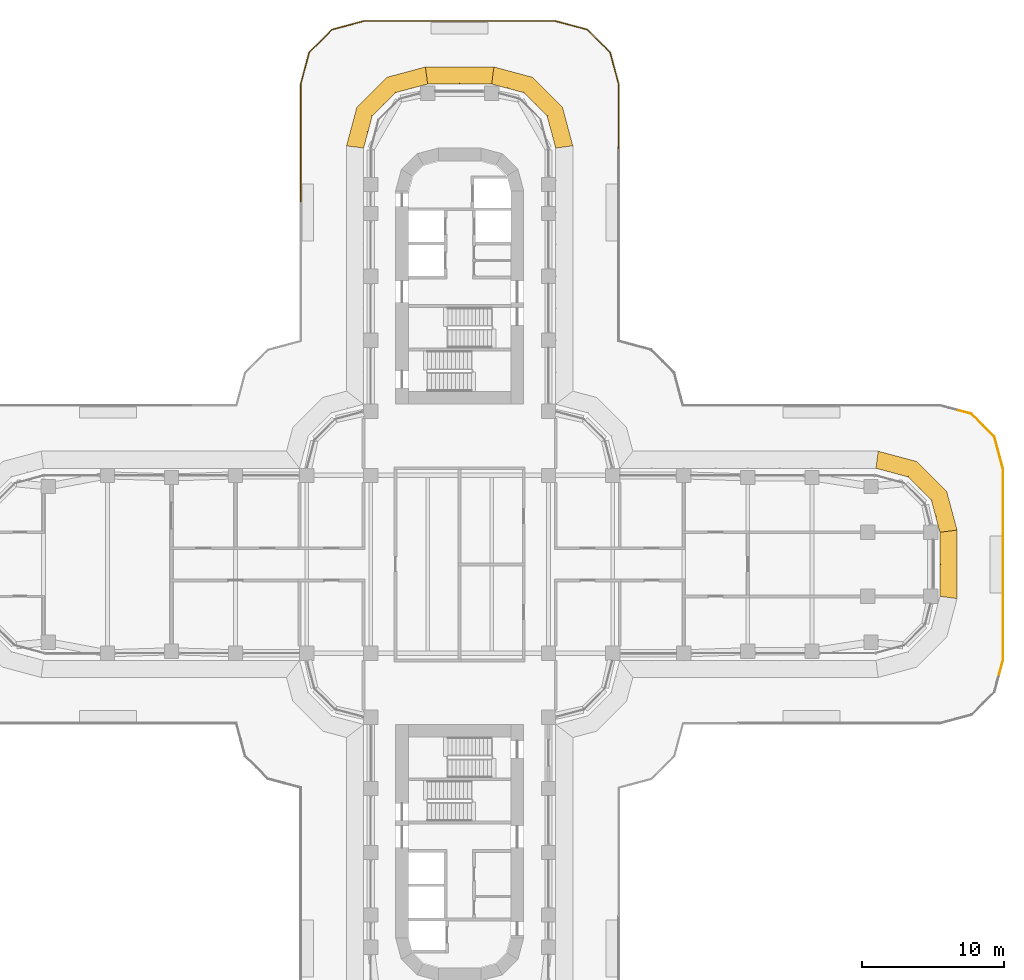
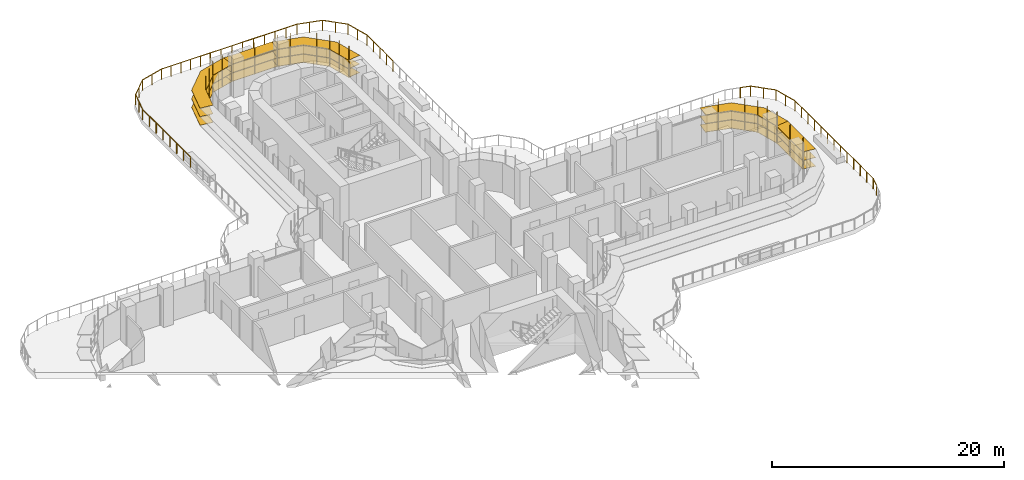
# One storey, part 25 of 26: 5 shading devices, 3 railings.
"""IFC4 building model written with IfcOpenShell, lengths in metres."""

from ifc_helpers import new_model, si_unit, direction, frame, origin, origin_2d, place, context, subcontext, project, spatial, polyline, circle, outline, extrude, faceted_brep, source, transform, mapped, material, type_object, element, save


model = new_model("IFC4")

# Units and contexts
model_context = context("Model", 3, precision=1e-05, world=origin(), true_north=direction((0.0, 1.0)))
body_context = subcontext(model_context, "Body", "Model", "MODEL_VIEW")
ifc_project = project(units=[si_unit("LENGTHUNIT", "METRE"), si_unit("AREAUNIT", "SQUARE_METRE"), si_unit("VOLUMEUNIT", "CUBIC_METRE"), si_unit("PLANEANGLEUNIT", "RADIAN"), si_unit("MASSUNIT", "GRAM", prefix="KILO")], contexts=[model_context])

# Site, building, storey
site_placement = place(None, origin())
site = spatial("IfcSite", under=ifc_project, at=site_placement, CompositionType="ELEMENT")
building_placement = place(site_placement, origin())
building = spatial("IfcBuilding", under=site, at=building_placement, Name="Zarbagh Exchange Tower", CompositionType="ELEMENT")
storey_placement = place(building_placement, frame((0.0, 0.0, 27.0)))
storey = spatial("IfcBuildingStorey", under=building, at=storey_placement, Name="L05", CompositionType="ELEMENT", Elevation=27.0)

# Railings
ifc_material_1 = material(Name="Stainless steel and laminated glass", Category="steel")
railing_type = type_object("IfcRailingType", Name="Terrace guard, glass balustrade 1.1 m", PredefinedType="GUARDRAIL", material=ifc_material_1)
railing_1_placement = place(storey_placement, frame((-11.169921875, 25.482421875, 0.0)))
element("IfcRailing", 1, at=railing_1_placement, inside=storey, type_object=railing_type, Name="TG01 terrace guard", PredefinedType="GUARDRAIL", context=body_context, shape_type="SweptSolid", body=[
    extrude(circle(Radius=0.02490234375, at=origin_2d()), frame((0.0, 0.0, 1.0751953125), z_axis=(0.0, 1.0, 0.0), x_axis=(-1.0, 0.0, 0.0)), (0.0, 0.0, 1.0), 8.257080078125),
    extrude(circle(Radius=0.02490234375, at=origin_2d()), frame((0.0, 8.257080078125, 1.0751953125), z_axis=(0.258780353152, 0.965936192935, 0.0), x_axis=(-0.965936192935, 0.258780353152, 0.0)), (0.0, 0.0, 1.0), 2.29736328125),
    extrude(circle(Radius=0.02490234375, at=origin_2d()), frame((0.594482421875, 10.47607421875, 1.0751953125), z_axis=(0.707106781187, 0.707106781187, 0.0), x_axis=(-0.707106781187, 0.707106781187, 0.0)), (0.0, 0.0, 1.0), 2.28662109375),
    extrude(circle(Radius=0.02490234375, at=origin_2d()), frame((2.21142578125, 12.093017578125, 1.0751953125), z_axis=(0.965936192935, 0.258780353152, 0.0), x_axis=(-0.258780353152, 0.965936192935, 0.0)), (0.0, 0.0, 1.0), 2.29736328125),
    extrude(circle(Radius=0.02490234375, at=origin_2d()), frame((4.430419921875, 12.6875, 1.0751953125), z_axis=(1.0, 0.0, 0.0), x_axis=(0.0, 1.0, 0.0)), (0.0, 0.0, 1.0), 4.861572265625),
    extrude(circle(Radius=0.02490234375, at=origin_2d()), origin(), (0.0, 0.0, 1.0), 1.050048828125),
    extrude(circle(Radius=0.02490234375, at=origin_2d()), frame((0.0, 1.1796875, 0.0)), (0.0, 0.0, 1.0), 1.050048828125),
    extrude(circle(Radius=0.02490234375, at=origin_2d()), frame((0.0, 2.359130859375, 0.0)), (0.0, 0.0, 1.0), 1.050048828125),
    extrude(circle(Radius=0.02490234375, at=origin_2d()), frame((0.0, 3.538818359375, 0.0)), (0.0, 0.0, 1.0), 1.050048828125),
    extrude(circle(Radius=0.02490234375, at=origin_2d()), frame((0.0, 4.71826171875, 0.0)), (0.0, 0.0, 1.0), 1.050048828125),
    extrude(circle(Radius=0.02490234375, at=origin_2d()), frame((0.0, 5.89794921875, 0.0)), (0.0, 0.0, 1.0), 1.050048828125),
    extrude(circle(Radius=0.02490234375, at=origin_2d()), frame((0.0, 7.077392578125, 0.0)), (0.0, 0.0, 1.0), 1.050048828125),
    extrude(circle(Radius=0.02490234375, at=origin_2d()), frame((0.0, 8.257080078125, 0.0)), (0.0, 0.0, 1.0), 1.050048828125),
    extrude(circle(Radius=0.02490234375, at=origin_2d()), frame((0.29736328125, 9.36669921875, 0.0)), (0.0, 0.0, 1.0), 1.050048828125),
    extrude(circle(Radius=0.02490234375, at=origin_2d()), frame((0.594482421875, 10.47607421875, 0.0)), (0.0, 0.0, 1.0), 1.050048828125),
    extrude(circle(Radius=0.02490234375, at=origin_2d()), frame((1.40283203125, 11.28466796875, 0.0)), (0.0, 0.0, 1.0), 1.050048828125),
    extrude(circle(Radius=0.02490234375, at=origin_2d()), frame((2.21142578125, 12.093017578125, 0.0)), (0.0, 0.0, 1.0), 1.050048828125),
    extrude(circle(Radius=0.02490234375, at=origin_2d()), frame((3.32080078125, 12.39013671875, 0.0)), (0.0, 0.0, 1.0), 1.050048828125),
    extrude(circle(Radius=0.02490234375, at=origin_2d()), frame((4.430419921875, 12.6875, 0.0)), (0.0, 0.0, 1.0), 1.050048828125),
    extrude(circle(Radius=0.02490234375, at=origin_2d()), frame((5.40283203125, 12.6875, 0.0)), (0.0, 0.0, 1.0), 1.050048828125),
    extrude(circle(Radius=0.02490234375, at=origin_2d()), frame((6.375, 12.6875, 0.0)), (0.0, 0.0, 1.0), 1.050048828125),
    extrude(circle(Radius=0.02490234375, at=origin_2d()), frame((7.347412109375, 12.6875, 0.0)), (0.0, 0.0, 1.0), 1.050048828125),
    extrude(circle(Radius=0.02490234375, at=origin_2d()), frame((8.319580078125, 12.6875, 0.0)), (0.0, 0.0, 1.0), 1.050048828125),
    extrude(circle(Radius=0.02490234375, at=origin_2d()), frame((9.2919921875, 12.6875, 0.0)), (0.0, 0.0, 1.0), 1.050048828125),
])
railing_2_placement = place(storey_placement, frame((-1.8779296875, 38.169921875, 0.0)))
element("IfcRailing", 2, at=railing_2_placement, inside=storey, type_object=railing_type, Name="TG01 terrace guard", PredefinedType="GUARDRAIL", context=body_context, shape_type="SweptSolid", body=[
    extrude(circle(Radius=0.02490234375, at=origin_2d()), frame((0.0, 0.0, 1.0751953125), z_axis=(1.0, 0.0, 0.0), x_axis=(0.0, 1.0, 0.0)), (0.0, 0.0, 1.0), 8.617431640625),
    extrude(circle(Radius=0.02490234375, at=origin_2d()), frame((8.617431640625, 0.0, 1.0751953125), z_axis=(0.965936192935, -0.258780353152, 0.0), x_axis=(0.258780353152, 0.965936192935, 0.0)), (0.0, 0.0, 1.0), 2.29736328125),
    extrude(circle(Radius=0.02490234375, at=origin_2d()), frame((10.83642578125, -0.594482421875, 1.0751953125), z_axis=(0.707106781187, -0.707106781187, 0.0), x_axis=(0.707106781187, 0.707106781187, 0.0)), (0.0, 0.0, 1.0), 2.28662109375),
    extrude(circle(Radius=0.02490234375, at=origin_2d()), frame((12.453369140625, -2.21142578125, 1.0751953125), z_axis=(0.258780353152, -0.965936192935, 0.0), x_axis=(0.965936192935, 0.258780353152, 0.0)), (0.0, 0.0, 1.0), 2.29736328125),
    extrude(circle(Radius=0.02490234375, at=origin_2d()), frame((13.0478515625, -4.430419921875, 1.0751953125), z_axis=(0.0, -1.0, 0.0), x_axis=(1.0, 0.0, 0.0)), (0.0, 0.0, 1.0), 4.50146484375),
    extrude(circle(Radius=0.02490234375, at=origin_2d()), origin(), (0.0, 0.0, 1.0), 1.050048828125),
    extrude(circle(Radius=0.02490234375, at=origin_2d()), frame((1.0771484375, 0.0, 0.0)), (0.0, 0.0, 1.0), 1.050048828125),
    extrude(circle(Radius=0.02490234375, at=origin_2d()), frame((2.154296875, 0.0, 0.0)), (0.0, 0.0, 1.0), 1.050048828125),
    extrude(circle(Radius=0.02490234375, at=origin_2d()), frame((3.2314453125, 0.0, 0.0)), (0.0, 0.0, 1.0), 1.050048828125),
    extrude(circle(Radius=0.02490234375, at=origin_2d()), frame((4.30859375, 0.0, 0.0)), (0.0, 0.0, 1.0), 1.050048828125),
    extrude(circle(Radius=0.02490234375, at=origin_2d()), frame((5.385986328125, 0.0, 0.0)), (0.0, 0.0, 1.0), 1.050048828125),
    extrude(circle(Radius=0.02490234375, at=origin_2d()), frame((6.463134765625, 0.0, 0.0)), (0.0, 0.0, 1.0), 1.050048828125),
    extrude(circle(Radius=0.02490234375, at=origin_2d()), frame((7.540283203125, 0.0, 0.0)), (0.0, 0.0, 1.0), 1.050048828125),
    extrude(circle(Radius=0.02490234375, at=origin_2d()), frame((8.617431640625, 0.0, 0.0)), (0.0, 0.0, 1.0), 1.050048828125),
    extrude(circle(Radius=0.02490234375, at=origin_2d()), frame((9.72705078125, -0.29736328125, 0.0)), (0.0, 0.0, 1.0), 1.050048828125),
    extrude(circle(Radius=0.02490234375, at=origin_2d()), frame((10.83642578125, -0.594482421875, 0.0)), (0.0, 0.0, 1.0), 1.050048828125),
    extrude(circle(Radius=0.02490234375, at=origin_2d()), frame((11.64501953125, -1.40283203125, 0.0)), (0.0, 0.0, 1.0), 1.050048828125),
    extrude(circle(Radius=0.02490234375, at=origin_2d()), frame((12.453369140625, -2.21142578125, 0.0)), (0.0, 0.0, 1.0), 1.050048828125),
    extrude(circle(Radius=0.02490234375, at=origin_2d()), frame((12.75048828125, -3.32080078125, 0.0)), (0.0, 0.0, 1.0), 1.050048828125),
    extrude(circle(Radius=0.02490234375, at=origin_2d()), frame((13.0478515625, -4.430419921875, 0.0)), (0.0, 0.0, 1.0), 1.050048828125),
    extrude(circle(Radius=0.02490234375, at=origin_2d()), frame((13.0478515625, -5.5556640625, 0.0)), (0.0, 0.0, 1.0), 1.050048828125),
    extrude(circle(Radius=0.02490234375, at=origin_2d()), frame((13.0478515625, -6.68115234375, 0.0)), (0.0, 0.0, 1.0), 1.050048828125),
    extrude(circle(Radius=0.02490234375, at=origin_2d()), frame((13.0478515625, -7.806640625, 0.0)), (0.0, 0.0, 1.0), 1.050048828125),
    extrude(circle(Radius=0.02490234375, at=origin_2d()), frame((13.0478515625, -8.931884765625, 0.0)), (0.0, 0.0, 1.0), 1.050048828125),
])
railing_3_placement = place(storey_placement, frame((35.067138671875, 10.814208984375, 0.0)))
element("IfcRailing", 3, at=railing_3_placement, inside=storey, type_object=railing_type, Name="TG01 terrace guard", PredefinedType="GUARDRAIL", context=body_context, shape_type="SweptSolid", body=[
    extrude(circle(Radius=0.02490234375, at=origin_2d()), frame((0.0, 0.0, 1.0751953125), z_axis=(0.965944509121, -0.258749309756, 0.0), x_axis=(0.258749309756, 0.965944509121, 0.0)), (0.0, 0.0, 1.0), 0.9228515625),
    extrude(circle(Radius=0.02490234375, at=origin_2d()), frame((0.891357421875, -0.23876953125, 1.0751953125), z_axis=(0.707106781187, -0.707106781187, 0.0), x_axis=(0.707106781187, 0.707106781187, 0.0)), (0.0, 0.0, 1.0), 2.28662109375),
    extrude(circle(Radius=0.02490234375, at=origin_2d()), frame((2.50830078125, -1.855712890625, 1.0751953125), z_axis=(0.258780353152, -0.965936192935, 0.0), x_axis=(0.965936192935, 0.258780353152, 0.0)), (0.0, 0.0, 1.0), 2.29736328125),
    extrude(circle(Radius=0.02490234375, at=origin_2d()), frame((3.102783203125, -4.07470703125, 1.0751953125), z_axis=(0.0, -1.0, 0.0), x_axis=(1.0, 0.0, 0.0)), (0.0, 0.0, 1.0), 13.47900390625),
    extrude(circle(Radius=0.02490234375, at=origin_2d()), frame((3.102783203125, -17.5537109375, 1.0751953125), z_axis=(-0.258756137816, -0.96594268005, 0.0), x_axis=(0.96594268005, -0.258756137816, 0.0)), (0.0, 0.0, 1.0), 1.01416015625),
    extrude(circle(Radius=0.02490234375, at=origin_2d()), origin(), (0.0, 0.0, 1.0), 1.050048828125),
    extrude(circle(Radius=0.02490234375, at=origin_2d()), frame((0.891357421875, -0.23876953125, 0.0)), (0.0, 0.0, 1.0), 1.050048828125),
    extrude(circle(Radius=0.02490234375, at=origin_2d()), frame((1.69970703125, -1.04736328125, 0.0)), (0.0, 0.0, 1.0), 1.050048828125),
    extrude(circle(Radius=0.02490234375, at=origin_2d()), frame((2.50830078125, -1.855712890625, 0.0)), (0.0, 0.0, 1.0), 1.050048828125),
    extrude(circle(Radius=0.02490234375, at=origin_2d()), frame((2.8056640625, -2.96533203125, 0.0)), (0.0, 0.0, 1.0), 1.050048828125),
    extrude(circle(Radius=0.02490234375, at=origin_2d()), frame((3.102783203125, -4.07470703125, 0.0)), (0.0, 0.0, 1.0), 1.050048828125),
    extrude(circle(Radius=0.02490234375, at=origin_2d()), frame((3.102783203125, -5.197998046875, 0.0)), (0.0, 0.0, 1.0), 1.050048828125),
    extrude(circle(Radius=0.02490234375, at=origin_2d()), frame((3.102783203125, -6.3212890625, 0.0)), (0.0, 0.0, 1.0), 1.050048828125),
    extrude(circle(Radius=0.02490234375, at=origin_2d()), frame((3.102783203125, -7.4443359375, 0.0)), (0.0, 0.0, 1.0), 1.050048828125),
    extrude(circle(Radius=0.02490234375, at=origin_2d()), frame((3.102783203125, -8.567626953125, 0.0)), (0.0, 0.0, 1.0), 1.050048828125),
    extrude(circle(Radius=0.02490234375, at=origin_2d()), frame((3.102783203125, -9.69091796875, 0.0)), (0.0, 0.0, 1.0), 1.050048828125),
    extrude(circle(Radius=0.02490234375, at=origin_2d()), frame((3.102783203125, -10.814208984375, 0.0)), (0.0, 0.0, 1.0), 1.050048828125),
    extrude(circle(Radius=0.02490234375, at=origin_2d()), frame((3.102783203125, -11.9375, 0.0)), (0.0, 0.0, 1.0), 1.050048828125),
    extrude(circle(Radius=0.02490234375, at=origin_2d()), frame((3.102783203125, -13.060791015625, 0.0)), (0.0, 0.0, 1.0), 1.050048828125),
    extrude(circle(Radius=0.02490234375, at=origin_2d()), frame((3.102783203125, -14.18408203125, 0.0)), (0.0, 0.0, 1.0), 1.050048828125),
    extrude(circle(Radius=0.02490234375, at=origin_2d()), frame((3.102783203125, -15.30712890625, 0.0)), (0.0, 0.0, 1.0), 1.050048828125),
    extrude(circle(Radius=0.02490234375, at=origin_2d()), frame((3.102783203125, -16.430419921875, 0.0)), (0.0, 0.0, 1.0), 1.050048828125),
    extrude(circle(Radius=0.02490234375, at=origin_2d()), frame((3.102783203125, -17.5537109375, 0.0)), (0.0, 0.0, 1.0), 1.050048828125),
    extrude(circle(Radius=0.02490234375, at=origin_2d()), frame((2.84033203125, -18.533447265625, 0.0)), (0.0, 0.0, 1.0), 1.050048828125),
])

# Shading devices
ifc_material_2 = material(Name="Anodised aluminium blades and brackets", Category="aluminium")
shading_device_type = type_object("IfcShadingDeviceType", Name="SUNSHADE louvre band, 0 degree blades", PredefinedType="JALOUSIE", material=ifc_material_2)
shared_shape_1 = source(origin(), body_context, "Body", "Brep", [
    faceted_brep([(0.0, 0.0, 0.0), (0.0, 0.0, -0.0400390625), (-0.157958984375, -1.199951171875, -0.0400390625), (-0.157958984375, -1.199951171875, 0.0), (2.65087890625, -1.199951171875, 0.0), (2.65087890625, -1.199951171875, -0.0400390625), (2.329345703125, 0.0, -0.0400390625), (2.329345703125, 0.0, 0.0)], [[[0, 1, 2, 3]], [[4, 5, 6, 7]], [[0, 7, 6, 1]], [[1, 6, 5, 2]], [[2, 5, 4, 3]], [[3, 4, 7, 0]]]),
])
shared_shape_2 = source(origin(), body_context, "Body", "Brep", [
    faceted_brep([(0.0, 0.0, 0.0), (0.0, 0.0, -0.0400390625), (-0.321533203125, -1.199951171875, -0.0400390625), (-0.321533203125, -1.199951171875, 0.0), (2.65087890625, -1.199951171875, 0.0), (2.65087890625, -1.199951171875, -0.0400390625), (2.329345703125, 0.0, -0.0400390625), (2.329345703125, 0.0, 0.0)], [[[0, 1, 2, 3]], [[4, 5, 6, 7]], [[0, 7, 6, 1]], [[1, 6, 5, 2]], [[2, 5, 4, 3]], [[3, 4, 7, 0]]]),
])
shared_shape_3 = source(origin(), body_context, "Body", "Brep", [
    faceted_brep([(0.0, 0.0, 0.0), (0.0, 0.0, -0.0400390625), (-0.321533203125, -1.199951171875, -0.0400390625), (-0.321533203125, -1.199951171875, 0.0), (2.4873046875, -1.199951171875, 0.0), (2.4873046875, -1.199951171875, -0.0400390625), (2.329345703125, 0.0, -0.0400390625), (2.329345703125, 0.0, 0.0)], [[[0, 1, 2, 3]], [[4, 5, 6, 7]], [[0, 7, 6, 1]], [[1, 6, 5, 2]], [[2, 5, 4, 3]], [[3, 4, 7, 0]]]),
])
shared_shape_4 = source(origin(), body_context, "Body", "SweptSolid", [
    extrude(outline(polyline([(0.0, -0.012451171875), (0.06005859375, -0.012451171875), (0.06005859375, 0.012451171875), (0.0, 0.012451171875), (0.0, -0.012451171875)])), origin(), (0.0, 0.0, 1.0), 3.35009765625),
])
placement = place(storey_placement, origin())
element("IfcShadingDevice", 4, at=placement, inside=storey, type_object=shading_device_type, Name="SS07 sunshade band", PredefinedType="JALOUSIE", context=body_context, shape_type="MappedRepresentation", body=[
    mapped(shared_shape_1, transform((33.75, 2.25, 2.699951171875), x_axis=(-0.258824779902, 0.965924289636, 0.0), y_axis=(-0.965924289636, -0.258824779902, 0.0), z_axis=(0.0, 0.0, 1.0))),
    mapped(shared_shape_1, transform((33.75, 2.25, 1.800048828125), x_axis=(-0.258824779902, 0.965924289636, 0.0), y_axis=(-0.965924289636, -0.258824779902, 0.0), z_axis=(0.0, 0.0, 1.0))),
    mapped(shared_shape_1, transform((33.75, 2.25, 0.89990234375), x_axis=(-0.258824779902, 0.965924289636, 0.0), y_axis=(-0.965924289636, -0.258824779902, 0.0), z_axis=(0.0, 0.0, 1.0))),
    mapped(shared_shape_2, transform((33.147216796875, 4.5, 2.699951171875), x_axis=(-0.707106781187, 0.707106781187, 0.0), y_axis=(-0.707106781187, -0.707106781187, 0.0), z_axis=(0.0, 0.0, 1.0))),
    mapped(shared_shape_2, transform((33.147216796875, 4.5, 1.800048828125), x_axis=(-0.707106781187, 0.707106781187, 0.0), y_axis=(-0.707106781187, -0.707106781187, 0.0), z_axis=(0.0, 0.0, 1.0))),
    mapped(shared_shape_2, transform((33.147216796875, 4.5, 0.89990234375), x_axis=(-0.707106781187, 0.707106781187, 0.0), y_axis=(-0.707106781187, -0.707106781187, 0.0), z_axis=(0.0, 0.0, 1.0))),
    mapped(shared_shape_3, transform((31.5, 6.147216796875, 2.699951171875), x_axis=(-0.965924289636, 0.258824779902, 0.0), y_axis=(-0.258824779902, -0.965924289636, 0.0), z_axis=(0.0, 0.0, 1.0))),
    mapped(shared_shape_3, transform((31.5, 6.147216796875, 1.800048828125), x_axis=(-0.965924289636, 0.258824779902, 0.0), y_axis=(-0.258824779902, -0.965924289636, 0.0), z_axis=(0.0, 0.0, 1.0))),
    mapped(shared_shape_3, transform((31.5, 6.147216796875, 0.89990234375), x_axis=(-0.965924289636, 0.258824779902, 0.0), y_axis=(-0.258824779902, -0.965924289636, 0.0), z_axis=(0.0, 0.0, 1.0))),
    mapped(shared_shape_4, transform((33.75, 2.25, 0.830078125), x_axis=(0.991444457092, 0.130529263012, 0.0), y_axis=(-0.130529263012, 0.991444457092, 0.0), z_axis=(0.0, 0.0, 1.0))),
    mapped(shared_shape_4, transform((33.448486328125, 3.375, 0.830078125), x_axis=(0.96592421511, 0.258825058029, 0.0), y_axis=(-0.258825058029, 0.96592421511, 0.0), z_axis=(0.0, 0.0, 1.0))),
    mapped(shared_shape_4, transform((33.147216796875, 4.5, 0.830078125), x_axis=(0.866023812018, 0.50000275701, 0.0), y_axis=(-0.50000275701, 0.866023812018, 0.0), z_axis=(0.0, 0.0, 1.0))),
    mapped(shared_shape_4, transform((32.323486328125, 5.323486328125, 0.830078125), x_axis=(0.707106781187, 0.707106781187, 0.0), y_axis=(-0.707106781187, 0.707106781187, 0.0), z_axis=(0.0, 0.0, 1.0))),
    mapped(shared_shape_4, transform((31.5, 6.147216796875, 0.830078125), x_axis=(0.50000275701, 0.866023812018, 0.0), y_axis=(-0.866023812018, 0.50000275701, 0.0), z_axis=(0.0, 0.0, 1.0))),
    mapped(shared_shape_4, transform((30.375, 6.448486328125, 0.830078125), x_axis=(0.258825058029, 0.96592421511, 0.0), y_axis=(-0.96592421511, 0.258825058029, 0.0), z_axis=(0.0, 0.0, 1.0))),
])
element("IfcShadingDevice", 5, at=placement, inside=storey, type_object=shading_device_type, Name="SS11 sunshade band", PredefinedType="JALOUSIE", context=body_context, shape_type="MappedRepresentation", body=[
    mapped(shared_shape_1, transform((6.75, 29.25, 2.699951171875), x_axis=(-0.258824779902, 0.965924289636, 0.0), y_axis=(-0.965924289636, -0.258824779902, 0.0), z_axis=(0.0, 0.0, 1.0))),
    mapped(shared_shape_1, transform((6.75, 29.25, 1.800048828125), x_axis=(-0.258824779902, 0.965924289636, 0.0), y_axis=(-0.965924289636, -0.258824779902, 0.0), z_axis=(0.0, 0.0, 1.0))),
    mapped(shared_shape_1, transform((6.75, 29.25, 0.89990234375), x_axis=(-0.258824779902, 0.965924289636, 0.0), y_axis=(-0.965924289636, -0.258824779902, 0.0), z_axis=(0.0, 0.0, 1.0))),
    mapped(shared_shape_2, transform((6.147216796875, 31.5, 2.699951171875), x_axis=(-0.707106781187, 0.707106781187, 0.0), y_axis=(-0.707106781187, -0.707106781187, 0.0), z_axis=(0.0, 0.0, 1.0))),
    mapped(shared_shape_2, transform((6.147216796875, 31.5, 1.800048828125), x_axis=(-0.707106781187, 0.707106781187, 0.0), y_axis=(-0.707106781187, -0.707106781187, 0.0), z_axis=(0.0, 0.0, 1.0))),
    mapped(shared_shape_2, transform((6.147216796875, 31.5, 0.89990234375), x_axis=(-0.707106781187, 0.707106781187, 0.0), y_axis=(-0.707106781187, -0.707106781187, 0.0), z_axis=(0.0, 0.0, 1.0))),
    mapped(shared_shape_3, transform((4.5, 33.147216796875, 2.699951171875), x_axis=(-0.965924289636, 0.258824779902, 0.0), y_axis=(-0.258824779902, -0.965924289636, 0.0), z_axis=(0.0, 0.0, 1.0))),
    mapped(shared_shape_3, transform((4.5, 33.147216796875, 1.800048828125), x_axis=(-0.965924289636, 0.258824779902, 0.0), y_axis=(-0.258824779902, -0.965924289636, 0.0), z_axis=(0.0, 0.0, 1.0))),
    mapped(shared_shape_3, transform((4.5, 33.147216796875, 0.89990234375), x_axis=(-0.965924289636, 0.258824779902, 0.0), y_axis=(-0.258824779902, -0.965924289636, 0.0), z_axis=(0.0, 0.0, 1.0))),
    mapped(shared_shape_4, transform((6.75, 29.25, 0.830078125), x_axis=(0.991444457092, 0.130529263012, 0.0), y_axis=(-0.130529263012, 0.991444457092, 0.0), z_axis=(0.0, 0.0, 1.0))),
    mapped(shared_shape_4, transform((6.448486328125, 30.375, 0.830078125), x_axis=(0.96592421511, 0.258825058029, 0.0), y_axis=(-0.258825058029, 0.96592421511, 0.0), z_axis=(0.0, 0.0, 1.0))),
    mapped(shared_shape_4, transform((6.147216796875, 31.5, 0.830078125), x_axis=(0.866023812018, 0.50000275701, 0.0), y_axis=(-0.50000275701, 0.866023812018, 0.0), z_axis=(0.0, 0.0, 1.0))),
    mapped(shared_shape_4, transform((5.323486328125, 32.323486328125, 0.830078125), x_axis=(0.707106781187, 0.707106781187, 0.0), y_axis=(-0.707106781187, 0.707106781187, 0.0), z_axis=(0.0, 0.0, 1.0))),
    mapped(shared_shape_4, transform((4.5, 33.147216796875, 0.830078125), x_axis=(0.50000275701, 0.866023812018, 0.0), y_axis=(-0.866023812018, 0.50000275701, 0.0), z_axis=(0.0, 0.0, 1.0))),
    mapped(shared_shape_4, transform((3.375, 33.448486328125, 0.830078125), x_axis=(0.258825058029, 0.96592421511, 0.0), y_axis=(-0.96592421511, 0.258825058029, 0.0), z_axis=(0.0, 0.0, 1.0))),
])
element("IfcShadingDevice", 6, at=placement, inside=storey, type_object=shading_device_type, Name="SS13 sunshade band", PredefinedType="JALOUSIE", context=body_context, shape_type="MappedRepresentation", body=[
    mapped(shared_shape_1, transform((-2.25, 33.75, 2.699951171875), x_axis=(-0.965924289636, -0.258824779902, 0.0), y_axis=(0.258824779902, -0.965924289636, 0.0), z_axis=(0.0, 0.0, 1.0))),
    mapped(shared_shape_1, transform((-2.25, 33.75, 1.800048828125), x_axis=(-0.965924289636, -0.258824779902, 0.0), y_axis=(0.258824779902, -0.965924289636, 0.0), z_axis=(0.0, 0.0, 1.0))),
    mapped(shared_shape_1, transform((-2.25, 33.75, 0.89990234375), x_axis=(-0.965924289636, -0.258824779902, 0.0), y_axis=(0.258824779902, -0.965924289636, 0.0), z_axis=(0.0, 0.0, 1.0))),
    mapped(shared_shape_2, transform((-4.5, 33.147216796875, 2.699951171875), x_axis=(-0.707106781187, -0.707106781187, 0.0), y_axis=(0.707106781187, -0.707106781187, 0.0), z_axis=(0.0, 0.0, 1.0))),
    mapped(shared_shape_2, transform((-4.5, 33.147216796875, 1.800048828125), x_axis=(-0.707106781187, -0.707106781187, 0.0), y_axis=(0.707106781187, -0.707106781187, 0.0), z_axis=(0.0, 0.0, 1.0))),
    mapped(shared_shape_2, transform((-4.5, 33.147216796875, 0.89990234375), x_axis=(-0.707106781187, -0.707106781187, 0.0), y_axis=(0.707106781187, -0.707106781187, 0.0), z_axis=(0.0, 0.0, 1.0))),
    mapped(shared_shape_3, transform((-6.147216796875, 31.5, 2.699951171875), x_axis=(-0.258824779902, -0.965924289636, 0.0), y_axis=(0.965924289636, -0.258824779902, 0.0), z_axis=(0.0, 0.0, 1.0))),
    mapped(shared_shape_3, transform((-6.147216796875, 31.5, 1.800048828125), x_axis=(-0.258824779902, -0.965924289636, 0.0), y_axis=(0.965924289636, -0.258824779902, 0.0), z_axis=(0.0, 0.0, 1.0))),
    mapped(shared_shape_3, transform((-6.147216796875, 31.5, 0.89990234375), x_axis=(-0.258824779902, -0.965924289636, 0.0), y_axis=(0.965924289636, -0.258824779902, 0.0), z_axis=(0.0, 0.0, 1.0))),
    mapped(shared_shape_4, transform((-2.25, 33.75, 0.830078125), x_axis=(-0.130529263012, 0.991444457092, 0.0), y_axis=(-0.991444457092, -0.130529263012, 0.0), z_axis=(0.0, 0.0, 1.0))),
    mapped(shared_shape_4, transform((-3.375, 33.448486328125, 0.830078125), x_axis=(-0.258825058029, 0.96592421511, 0.0), y_axis=(-0.96592421511, -0.258825058029, 0.0), z_axis=(0.0, 0.0, 1.0))),
    mapped(shared_shape_4, transform((-4.5, 33.147216796875, 0.830078125), x_axis=(-0.50000275701, 0.866023812018, 0.0), y_axis=(-0.866023812018, -0.50000275701, 0.0), z_axis=(0.0, 0.0, 1.0))),
    mapped(shared_shape_4, transform((-5.323486328125, 32.323486328125, 0.830078125), x_axis=(-0.707106781187, 0.707106781187, 0.0), y_axis=(-0.707106781187, -0.707106781187, 0.0), z_axis=(0.0, 0.0, 1.0))),
    mapped(shared_shape_4, transform((-6.147216796875, 31.5, 0.830078125), x_axis=(-0.866023812018, 0.50000275701, 0.0), y_axis=(-0.50000275701, -0.866023812018, 0.0), z_axis=(0.0, 0.0, 1.0))),
    mapped(shared_shape_4, transform((-6.448486328125, 30.375, 0.830078125), x_axis=(-0.96592421511, 0.258825058029, 0.0), y_axis=(-0.258825058029, -0.96592421511, 0.0), z_axis=(0.0, 0.0, 1.0))),
])
shared_shape_5 = source(origin(), body_context, "Body", "Brep", [
    faceted_brep([(0.0, 0.0, 0.0), (0.0, 0.0, -0.0400390625), (-0.157958984375, -1.199951171875, -0.0400390625), (-0.157958984375, -1.199951171875, 0.0), (4.657958984375, -1.199951171875, 0.0), (4.657958984375, -1.199951171875, -0.0400390625), (4.5, 0.0, -0.0400390625), (4.5, 0.0, 0.0)], [[[0, 1, 2, 3]], [[4, 5, 6, 7]], [[0, 7, 6, 1]], [[1, 6, 5, 2]], [[2, 5, 4, 3]], [[3, 4, 7, 0]]]),
])
element("IfcShadingDevice", 7, at=placement, inside=storey, type_object=shading_device_type, Name="SS06 sunshade band", PredefinedType="JALOUSIE", context=body_context, shape_type="MappedRepresentation", body=[
    mapped(shared_shape_5, transform((33.75, -2.25, 2.699951171875), x_axis=(0.0, 1.0, 0.0), y_axis=(-1.0, 0.0, 0.0), z_axis=(0.0, 0.0, 1.0))),
    mapped(shared_shape_5, transform((33.75, -2.25, 1.800048828125), x_axis=(0.0, 1.0, 0.0), y_axis=(-1.0, 0.0, 0.0), z_axis=(0.0, 0.0, 1.0))),
    mapped(shared_shape_5, transform((33.75, -2.25, 0.89990234375), x_axis=(0.0, 1.0, 0.0), y_axis=(-1.0, 0.0, 0.0), z_axis=(0.0, 0.0, 1.0))),
    mapped(shared_shape_4, transform((33.75, -2.25, 0.830078125), x_axis=(0.991444457092, -0.130529263012, 0.0), y_axis=(0.130529263012, 0.991444457092, 0.0), z_axis=(0.0, 0.0, 1.0))),
    mapped(shared_shape_4, transform((33.75, 0.0, 0.830078125), x_axis=(1.0, 0.0, 0.0), y_axis=(0.0, 1.0, 0.0), z_axis=(0.0, 0.0, 1.0))),
])
element("IfcShadingDevice", 8, at=placement, inside=storey, type_object=shading_device_type, Name="SS12 sunshade band", PredefinedType="JALOUSIE", context=body_context, shape_type="MappedRepresentation", body=[
    mapped(shared_shape_5, transform((2.25, 33.75, 2.699951171875), x_axis=(-1.0, 0.0, 0.0), y_axis=(0.0, -1.0, 0.0), z_axis=(0.0, 0.0, 1.0))),
    mapped(shared_shape_5, transform((2.25, 33.75, 1.800048828125), x_axis=(-1.0, 0.0, 0.0), y_axis=(0.0, -1.0, 0.0), z_axis=(0.0, 0.0, 1.0))),
    mapped(shared_shape_5, transform((2.25, 33.75, 0.89990234375), x_axis=(-1.0, 0.0, 0.0), y_axis=(0.0, -1.0, 0.0), z_axis=(0.0, 0.0, 1.0))),
    mapped(shared_shape_4, transform((2.25, 33.75, 0.830078125), x_axis=(0.130529263012, 0.991444457092, 0.0), y_axis=(-0.991444457092, 0.130529263012, 0.0), z_axis=(0.0, 0.0, 1.0))),
    mapped(shared_shape_4, transform((0.0, 33.75, 0.830078125), x_axis=(0.0, 1.0, 0.0), y_axis=(-1.0, 0.0, 0.0), z_axis=(0.0, 0.0, 1.0))),
])

save(model, "model.ifc")
